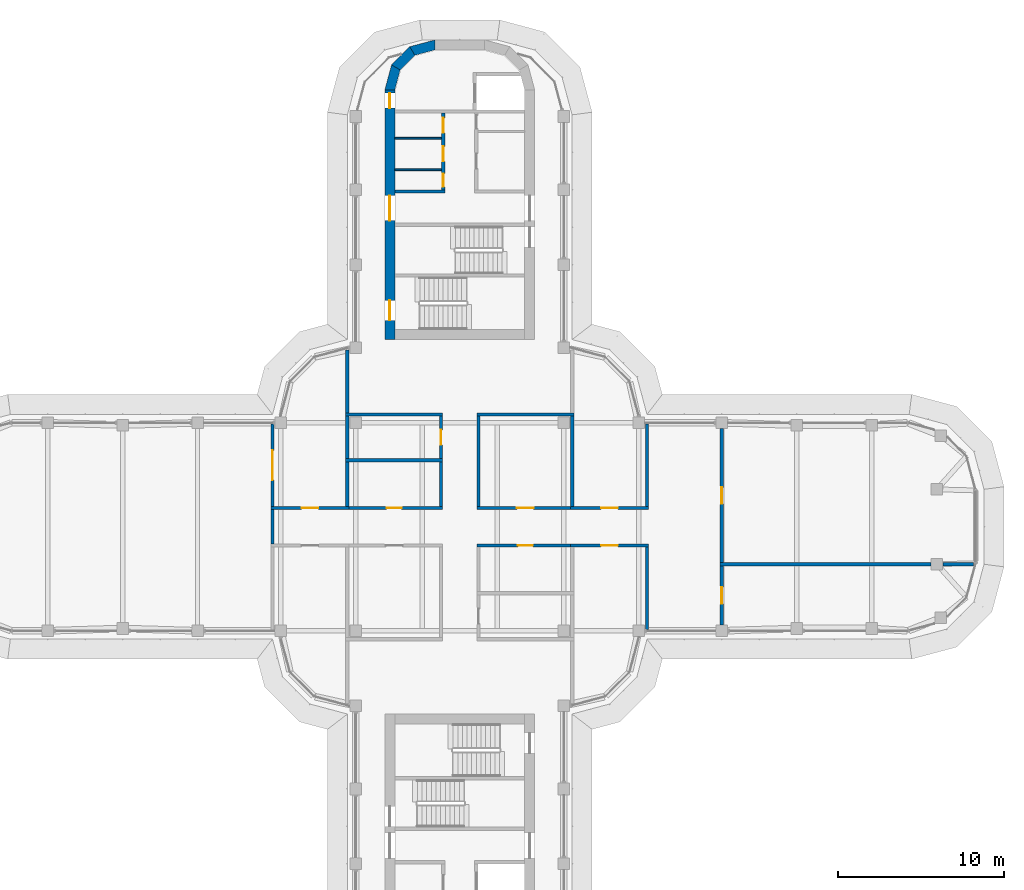
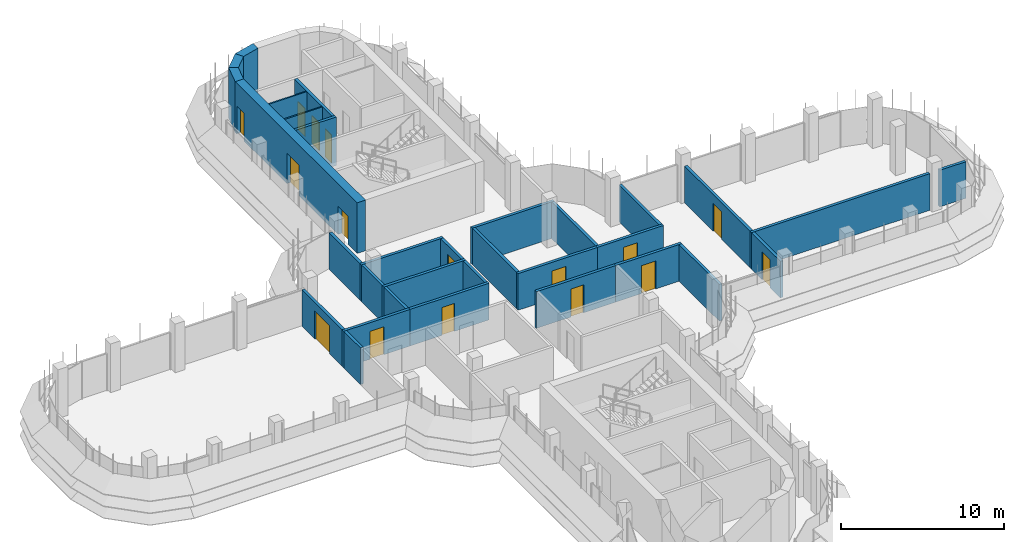
# One storey, part 14 of 19: 32 walls, 16 doors, 16 openings.
"""IFC4 building model written with IfcOpenShell, lengths in metres."""

from ifc_helpers import new_model, si_unit, direction, frame, frame_2d, origin, place, context, subcontext, project, spatial, polyline, rectangle, outline, extrude, material, layer, layer_set, type_object, element, fill, save


model = new_model("IFC4")

# Units and contexts
model_context = context("Model", 3, precision=1e-05, world=origin(), true_north=direction((0.0, 1.0)))
body_context = subcontext(model_context, "Body", "Model", "MODEL_VIEW")
ifc_project = project(units=[si_unit("LENGTHUNIT", "METRE"), si_unit("AREAUNIT", "SQUARE_METRE"), si_unit("VOLUMEUNIT", "CUBIC_METRE"), si_unit("PLANEANGLEUNIT", "RADIAN"), si_unit("MASSUNIT", "GRAM", prefix="KILO")], contexts=[model_context])

# Site, building, storey
site_placement = place(None, origin())
site = spatial("IfcSite", under=ifc_project, at=site_placement, CompositionType="ELEMENT")
building_placement = place(site_placement, origin())
building = spatial("IfcBuilding", under=site, at=building_placement, Name="Zarbagh Exchange Tower", CompositionType="ELEMENT")
storey_placement = place(building_placement, frame((0.0, 0.0, 222.0)))
storey = spatial("IfcBuildingStorey", under=building, at=storey_placement, Name="L54", CompositionType="ELEMENT", Elevation=222.0)

# Walls
ifc_material_1 = material(Name="Dense blockwork", Category="masonry")
ifc_layer_1 = layer(ifc_material_1, 0.10009765625)
ifc_layer_set_1 = layer_set([ifc_layer_1], Name="Core partition 100 mm blockwork")
wall_type_1 = type_object("IfcWallType", Name="Core partition 100 mm blockwork", PredefinedType="PARTITIONING", material=ifc_layer_set_1)
for number, where, z_axis, x_axis, name in (
    (1, (-3.89990234375, 23.35009765625, 0.0), (0.0, 0.0, 1.0), (1.0, 0.0, 0.0), "North core partition wall CUT-W-500"),
    (2, (-3.89990234375, 21.449951171875, 0.0), (0.0, 0.0, 1.0), (1.0, 0.0, 0.0), "North core partition wall CUT-W-690"),
):
    element("IfcWall", number, at=place(storey_placement, frame(where, z_axis=z_axis, x_axis=x_axis)), inside=storey, type_object=wall_type_1, Name=name, PredefinedType="PARTITIONING", context=body_context, shape_type="SweptSolid", body=[
        extrude(rectangle(XDim=2.7998046875, YDim=0.10009765625, at=frame_2d((1.39990234375, 0.0))), origin(), (0.0, 0.0, 1.0), 3.64990234375),
    ])

# Wall, opening, door
ifc_material_2 = material(Name="Fire-rated plasterboard partition")
ifc_layer_2 = layer(ifc_material_2, 0.199951171875)
ifc_layer_set_2 = layer_set([ifc_layer_2], Name="RATED PARTITION 200")
wall_type_2 = type_object("IfcWallType", Name="RATED PARTITION 200", PredefinedType="PARTITIONING", material=ifc_layer_set_2)
wall_1_placement = place(storey_placement, frame((1.02490234375, 1.125, 0.0), z_axis=(0.0, 0.0, 1.0), x_axis=(1.0, 0.0, 0.0)))
wall_1 = element("IfcWall", 3, at=wall_1_placement, inside=storey, type_object=wall_type_2, Name="Partition W-2401", PredefinedType="PARTITIONING", context=body_context, shape_type="SweptSolid", body=[
    extrude(rectangle(XDim=5.8251953125, YDim=0.199951171875, at=frame_2d((2.91259765625, 0.0))), origin(), (0.0, 0.0, 1.0), 2.75),
])
opening_1_placement = place(wall_1_placement, frame((2.41259765625, 0.0, 0.0)))
opening_1 = element("IfcOpeningElement", 4, at=opening_1_placement, cuts=wall_1, Name="Opening D-2403", PredefinedType="OPENING", context=body_context, shape_type="SweptSolid", body=[
    extrude(rectangle(XDim=1.0, YDim=2.10009765625, at=frame_2d((0.5, 1.050048828125))), frame((0.0, 0.10986328125, 0.0), z_axis=(0.0, -1.0, 0.0), x_axis=(1.0, 0.0, 0.0)), (0.0, 0.0, 1.0), 0.219970703125),
])
ifc_material_3 = material(Name="Steel door set", Category="steel")
door_type_1 = type_object("IfcDoorType", Name="FIRE DOOR 1000 X 2100 FD30S", OperationType="NOTDEFINED", PredefinedType="DOOR", material=ifc_material_3)
door_1_placement = place(opening_1_placement, origin())
door_1 = element("IfcDoor", 5, at=door_1_placement, inside=storey, type_object=door_type_1, Name="Door D-2403", OperationType="SINGLE_SWING_RIGHT", OverallHeight=2.10009765625, OverallWidth=1.0, PredefinedType="DOOR", context=body_context, shape_type="SweptSolid", body=[
    extrude(rectangle(XDim=1.0, YDim=2.10009765625, at=frame_2d((0.5, 1.050048828125))), frame((0.0, 0.02490234375, 0.0), z_axis=(0.0, -1.0, 0.0), x_axis=(1.0, 0.0, 0.0)), (0.0, 0.0, 1.0), 0.050048828125),
])
fill(opening_1, door_1)

wall_2_placement = place(storey_placement, frame((6.64990234375, 1.125, 0.0), z_axis=(0.0, 0.0, 1.0), x_axis=(1.0, 0.0, 0.0)))
wall_2 = element("IfcWall", 6, at=wall_2_placement, inside=storey, type_object=wall_type_2, Name="Partition W-2402", PredefinedType="PARTITIONING", context=body_context, shape_type="SweptSolid", body=[
    extrude(rectangle(XDim=4.7001953125, YDim=0.199951171875, at=frame_2d((2.35009765625, 0.0))), origin(), (0.0, 0.0, 1.0), 2.75),
])
opening_2_placement = place(wall_2_placement, frame((1.85009765625, 0.0, 0.0)))
opening_2 = element("IfcOpeningElement", 7, at=opening_2_placement, cuts=wall_2, Name="Opening D-2404", PredefinedType="OPENING", context=body_context, shape_type="SweptSolid", body=[
    extrude(rectangle(XDim=1.0, YDim=2.10009765625, at=frame_2d((0.5, 1.050048828125))), frame((0.0, 0.10986328125, 0.0), z_axis=(0.0, -1.0, 0.0), x_axis=(1.0, 0.0, 0.0)), (0.0, 0.0, 1.0), 0.219970703125),
])
door_2_placement = place(opening_2_placement, origin())
door_2 = element("IfcDoor", 8, at=door_2_placement, inside=storey, type_object=door_type_1, Name="Door D-2404", OperationType="SINGLE_SWING_RIGHT", OverallHeight=2.10009765625, OverallWidth=1.0, PredefinedType="DOOR", context=body_context, shape_type="SweptSolid", body=[
    extrude(rectangle(XDim=1.0, YDim=2.10009765625, at=frame_2d((0.5, 1.050048828125))), frame((0.0, 0.02490234375, 0.0), z_axis=(0.0, -1.0, 0.0), x_axis=(1.0, 0.0, 0.0)), (0.0, 0.0, 1.0), 0.050048828125),
])
fill(opening_2, door_2)

wall_3_placement = place(storey_placement, frame((-6.85009765625, 1.125, 0.0), z_axis=(0.0, 0.0, 1.0), x_axis=(1.0, 0.0, 0.0)))
wall_3 = element("IfcWall", 9, at=wall_3_placement, inside=storey, type_object=wall_type_2, Name="Partition W-2403", PredefinedType="PARTITIONING", context=body_context, shape_type="SweptSolid", body=[
    extrude(rectangle(XDim=5.8251953125, YDim=0.199951171875, at=frame_2d((2.91259765625, 0.0))), origin(), (0.0, 0.0, 1.0), 2.75),
])
opening_3_placement = place(wall_3_placement, frame((2.46240234375, 0.0, 0.0)))
opening_3 = element("IfcOpeningElement", 10, at=opening_3_placement, cuts=wall_3, Name="Opening D-2405", PredefinedType="OPENING", context=body_context, shape_type="SweptSolid", body=[
    extrude(rectangle(XDim=0.89990234375, YDim=2.10009765625, at=frame_2d((0.449951171875, 1.050048828125))), frame((0.0, 0.10986328125, 0.0), z_axis=(0.0, -1.0, 0.0), x_axis=(1.0, 0.0, 0.0)), (0.0, 0.0, 1.0), 0.219970703125),
])
ifc_material_4 = material(Name="Timber door leaf", Category="wood")
door_type_2 = type_object("IfcDoorType", Name="DOOR 900 X 2100", OperationType="NOTDEFINED", PredefinedType="DOOR", material=ifc_material_4)
door_3_placement = place(opening_3_placement, origin())
door_3 = element("IfcDoor", 11, at=door_3_placement, inside=storey, type_object=door_type_2, Name="Door D-2405", OperationType="SINGLE_SWING_RIGHT", OverallHeight=2.10009765625, OverallWidth=0.89990234375, PredefinedType="DOOR", context=body_context, shape_type="SweptSolid", body=[
    extrude(rectangle(XDim=0.89990234375, YDim=2.10009765625, at=frame_2d((0.449951171875, 1.050048828125))), frame((0.0, 0.02490234375, 0.0), z_axis=(0.0, -1.0, 0.0), x_axis=(1.0, 0.0, 0.0)), (0.0, 0.0, 1.0), 0.050048828125),
])
fill(opening_3, door_3)

wall_4_placement = place(storey_placement, frame((-11.35009765625, 1.125, 0.0), z_axis=(0.0, 0.0, 1.0), x_axis=(1.0, 0.0, 0.0)))
wall_4 = element("IfcWall", 12, at=wall_4_placement, inside=storey, type_object=wall_type_2, Name="Partition W-2404", PredefinedType="PARTITIONING", context=body_context, shape_type="SweptSolid", body=[
    extrude(rectangle(XDim=4.7001953125, YDim=0.199951171875, at=frame_2d((2.35009765625, 0.0))), origin(), (0.0, 0.0, 1.0), 2.75),
])
opening_4_placement = place(wall_4_placement, frame((1.85009765625, 0.0, 0.0)))
opening_4 = element("IfcOpeningElement", 13, at=opening_4_placement, cuts=wall_4, Name="Opening D-2407", PredefinedType="OPENING", context=body_context, shape_type="SweptSolid", body=[
    extrude(rectangle(XDim=1.0, YDim=2.10009765625, at=frame_2d((0.5, 1.050048828125))), frame((0.0, 0.10986328125, 0.0), z_axis=(0.0, -1.0, 0.0), x_axis=(1.0, 0.0, 0.0)), (0.0, 0.0, 1.0), 0.219970703125),
])
door_4_placement = place(opening_4_placement, origin())
door_4 = element("IfcDoor", 14, at=door_4_placement, inside=storey, type_object=door_type_1, Name="Door D-2407", OperationType="SINGLE_SWING_RIGHT", OverallHeight=2.10009765625, OverallWidth=1.0, PredefinedType="DOOR", context=body_context, shape_type="SweptSolid", body=[
    extrude(rectangle(XDim=1.0, YDim=2.10009765625, at=frame_2d((0.5, 1.050048828125))), frame((0.0, 0.02490234375, 0.0), z_axis=(0.0, -1.0, 0.0), x_axis=(1.0, 0.0, 0.0)), (0.0, 0.0, 1.0), 0.050048828125),
])
fill(opening_4, door_4)

wall_5_placement = place(storey_placement, frame((6.85009765625, -1.125, 0.0), z_axis=(0.0, 0.0, 1.0), x_axis=(-1.0, 0.0, 0.0)))
wall_5 = element("IfcWall", 15, at=wall_5_placement, inside=storey, type_object=wall_type_2, Name="Partition W-2405", PredefinedType="PARTITIONING", context=body_context, shape_type="SweptSolid", body=[
    extrude(rectangle(XDim=5.8251953125, YDim=0.199951171875, at=frame_2d((2.91259765625, 0.0))), origin(), (0.0, 0.0, 1.0), 2.75),
])
opening_5_placement = place(wall_5_placement, frame((2.46240234375, 0.0, 0.0)))
opening_5 = element("IfcOpeningElement", 16, at=opening_5_placement, cuts=wall_5, Name="Opening D-2408", PredefinedType="OPENING", context=body_context, shape_type="SweptSolid", body=[
    extrude(rectangle(XDim=0.89990234375, YDim=2.10009765625, at=frame_2d((0.449951171875, 1.050048828125))), frame((0.0, 0.10986328125, 0.0), z_axis=(0.0, -1.0, 0.0), x_axis=(1.0, 0.0, 0.0)), (0.0, 0.0, 1.0), 0.219970703125),
])
door_5_placement = place(opening_5_placement, origin())
door_5 = element("IfcDoor", 17, at=door_5_placement, inside=storey, type_object=door_type_2, Name="Door D-2408", OperationType="SINGLE_SWING_RIGHT", OverallHeight=2.10009765625, OverallWidth=0.89990234375, PredefinedType="DOOR", context=body_context, shape_type="SweptSolid", body=[
    extrude(rectangle(XDim=0.89990234375, YDim=2.10009765625, at=frame_2d((0.449951171875, 1.050048828125))), frame((0.0, 0.02490234375, 0.0), z_axis=(0.0, -1.0, 0.0), x_axis=(1.0, 0.0, 0.0)), (0.0, 0.0, 1.0), 0.050048828125),
])
fill(opening_5, door_5)

wall_6_placement = place(storey_placement, frame((11.35009765625, -1.125, 0.0), z_axis=(0.0, 0.0, 1.0), x_axis=(-1.0, 0.0, 0.0)))
wall_6 = element("IfcWall", 18, at=wall_6_placement, inside=storey, type_object=wall_type_2, Name="Partition W-2406", PredefinedType="PARTITIONING", context=body_context, shape_type="SweptSolid", body=[
    extrude(rectangle(XDim=4.7001953125, YDim=0.199951171875, at=frame_2d((2.35009765625, 0.0))), origin(), (0.0, 0.0, 1.0), 2.75),
])
opening_6_placement = place(wall_6_placement, frame((1.85009765625, 0.0, 0.0)))
opening_6 = element("IfcOpeningElement", 19, at=opening_6_placement, cuts=wall_6, Name="Opening D-2410", PredefinedType="OPENING", context=body_context, shape_type="SweptSolid", body=[
    extrude(rectangle(XDim=1.0, YDim=2.10009765625, at=frame_2d((0.5, 1.050048828125))), frame((0.0, 0.10986328125, 0.0), z_axis=(0.0, -1.0, 0.0), x_axis=(1.0, 0.0, 0.0)), (0.0, 0.0, 1.0), 0.219970703125),
])
door_6_placement = place(opening_6_placement, origin())
door_6 = element("IfcDoor", 20, at=door_6_placement, inside=storey, type_object=door_type_1, Name="Door D-2410", OperationType="SINGLE_SWING_RIGHT", OverallHeight=2.10009765625, OverallWidth=1.0, PredefinedType="DOOR", context=body_context, shape_type="SweptSolid", body=[
    extrude(rectangle(XDim=1.0, YDim=2.10009765625, at=frame_2d((0.5, 1.050048828125))), frame((0.0, 0.02490234375, 0.0), z_axis=(0.0, -1.0, 0.0), x_axis=(1.0, 0.0, 0.0)), (0.0, 0.0, 1.0), 0.050048828125),
])
fill(opening_6, door_6)

# Walls
wall_7_placement = place(storey_placement, frame((-11.25, -1.02490234375, 0.0), z_axis=(0.0, 0.0, 1.0), x_axis=(0.0, 1.0, 0.0)))
element("IfcWall", 21, at=wall_7_placement, inside=storey, type_object=wall_type_2, Name="Partition W-2409", PredefinedType="PARTITIONING", context=body_context, shape_type="SweptSolid", body=[
    extrude(rectangle(XDim=2.0498046875, YDim=0.199951171875, at=frame_2d((1.02490234375, 0.0))), origin(), (0.0, 0.0, 1.0), 2.75),
])
wall_8_placement = place(storey_placement, frame((1.125, 1.22509765625, 0.0), z_axis=(0.0, 0.0, 1.0), x_axis=(0.0, 1.0, 0.0)))
element("IfcWall", 22, at=wall_8_placement, inside=storey, type_object=wall_type_2, Name="Partition W-2410", PredefinedType="PARTITIONING", context=body_context, shape_type="SweptSolid", body=[
    extrude(rectangle(XDim=5.4248046875, YDim=0.199951171875, at=frame_2d((2.71240234375, 0.0))), origin(), (0.0, 0.0, 1.0), 2.75),
])
wall_9_placement = place(storey_placement, frame((-1.125, 1.22509765625, 0.0), z_axis=(0.0, 0.0, 1.0), x_axis=(0.0, 1.0, 0.0)))
element("IfcWall", 23, at=wall_9_placement, inside=storey, type_object=wall_type_2, Name="Partition W-2411", PredefinedType="PARTITIONING", context=body_context, shape_type="SweptSolid", body=[
    extrude(rectangle(XDim=2.6748046875, YDim=0.199951171875, at=frame_2d((1.33740234375, 0.0))), origin(), (0.0, 0.0, 1.0), 2.75),
])

# Wall, opening, door
wall_10_placement = place(storey_placement, frame((-1.125, 4.10009765625, 0.0), z_axis=(0.0, 0.0, 1.0), x_axis=(0.0, 1.0, 0.0)))
wall_10 = element("IfcWall", 24, at=wall_10_placement, inside=storey, type_object=wall_type_2, Name="Partition W-2412", PredefinedType="PARTITIONING", context=body_context, shape_type="SweptSolid", body=[
    extrude(rectangle(XDim=2.5498046875, YDim=0.199951171875, at=frame_2d((1.27490234375, 0.0))), origin(), (0.0, 0.0, 1.0), 2.75),
])
opening_7_placement = place(wall_10_placement, frame((0.824951171875, 0.0, 0.0)))
opening_7 = element("IfcOpeningElement", 25, at=opening_7_placement, cuts=wall_10, Name="Opening D-2406", PredefinedType="OPENING", context=body_context, shape_type="SweptSolid", body=[
    extrude(rectangle(XDim=0.89990234375, YDim=2.10009765625, at=frame_2d((0.449951171875, 1.050048828125))), frame((0.0, 0.10986328125, 0.0), z_axis=(0.0, -1.0, 0.0), x_axis=(1.0, 0.0, 0.0)), (0.0, 0.0, 1.0), 0.219970703125),
])
door_7_placement = place(opening_7_placement, origin())
door_7 = element("IfcDoor", 26, at=door_7_placement, inside=storey, type_object=door_type_2, Name="Door D-2406", OperationType="SINGLE_SWING_RIGHT", OverallHeight=2.10009765625, OverallWidth=0.89990234375, PredefinedType="DOOR", context=body_context, shape_type="SweptSolid", body=[
    extrude(rectangle(XDim=0.89990234375, YDim=2.10009765625, at=frame_2d((0.449951171875, 1.050048828125))), frame((0.0, 0.02490234375, 0.0), z_axis=(0.0, -1.0, 0.0), x_axis=(1.0, 0.0, 0.0)), (0.0, 0.0, 1.0), 0.050048828125),
])
fill(opening_7, door_7)

# Walls
for number, where, z_axis, x_axis, name in (
    (27, (1.02490234375, 6.75, 0.0), (0.0, 0.0, 1.0), (1.0, 0.0, 0.0), "Partition W-2416"),
    (28, (-6.85009765625, 6.75, 0.0), (0.0, 0.0, 1.0), (1.0, 0.0, 0.0), "Partition W-2418"),
):
    element("IfcWall", number, at=place(storey_placement, frame(where, z_axis=z_axis, x_axis=x_axis)), inside=storey, type_object=wall_type_2, Name=name, PredefinedType="PARTITIONING", context=body_context, shape_type="SweptSolid", body=[
        extrude(rectangle(XDim=5.8251953125, YDim=0.199951171875, at=frame_2d((2.91259765625, 0.0))), origin(), (0.0, 0.0, 1.0), 2.75),
    ])
wall_11_placement = place(storey_placement, frame((-6.75, 6.85009765625, 0.0), z_axis=(0.0, 0.0, 1.0), x_axis=(0.0, 1.0, 0.0)))
element("IfcWall", 29, at=wall_11_placement, inside=storey, type_object=wall_type_2, Name="Partition W-2419", PredefinedType="PARTITIONING", context=body_context, shape_type="SweptSolid", body=[
    extrude(rectangle(XDim=3.77978515625, YDim=0.199951171875, at=frame_2d((1.889892578125, 0.0))), origin(), (0.0, 0.0, 1.0), 2.75),
])
wall_12_placement = place(storey_placement, frame((6.75, 1.22509765625, 0.0), z_axis=(0.0, 0.0, 1.0), x_axis=(0.0, 1.0, 0.0)))
element("IfcWall", 30, at=wall_12_placement, inside=storey, type_object=wall_type_2, Name="Partition W-2424", PredefinedType="PARTITIONING", context=body_context, shape_type="SweptSolid", body=[
    extrude(rectangle(XDim=5.4248046875, YDim=0.199951171875, at=frame_2d((2.71240234375, 0.0))), origin(), (0.0, 0.0, 1.0), 2.75),
])
wall_13_placement = place(storey_placement, frame((11.25, 1.22509765625, 0.0), z_axis=(0.0, 0.0, 1.0), x_axis=(0.0, 1.0, 0.0)))
element("IfcWall", 31, at=wall_13_placement, inside=storey, type_object=wall_type_2, Name="Partition W-2425", PredefinedType="PARTITIONING", context=body_context, shape_type="SweptSolid", body=[
    extrude(rectangle(XDim=4.94482421875, YDim=0.199951171875, at=frame_2d((2.472412109375, 0.0))), origin(), (0.0, 0.0, 1.0), 2.75),
])
wall_14_placement = place(storey_placement, frame((-6.85009765625, 4.0, 0.0), z_axis=(0.0, 0.0, 1.0), x_axis=(1.0, 0.0, 0.0)))
element("IfcWall", 32, at=wall_14_placement, inside=storey, type_object=wall_type_2, Name="Partition W-2426", PredefinedType="PARTITIONING", context=body_context, shape_type="SweptSolid", body=[
    extrude(rectangle(XDim=5.8251953125, YDim=0.199951171875, at=frame_2d((2.91259765625, 0.0))), origin(), (0.0, 0.0, 1.0), 2.75),
])
wall_15_placement = place(storey_placement, frame((-6.75, 1.22509765625, 0.0), z_axis=(0.0, 0.0, 1.0), x_axis=(0.0, 1.0, 0.0)))
element("IfcWall", 33, at=wall_15_placement, inside=storey, type_object=wall_type_2, Name="Partition W-2427", PredefinedType="PARTITIONING", context=body_context, shape_type="SweptSolid", body=[
    extrude(rectangle(XDim=2.6748046875, YDim=0.199951171875, at=frame_2d((1.33740234375, 0.0))), origin(), (0.0, 0.0, 1.0), 2.75),
])
wall_16_placement = place(storey_placement, frame((-6.75, 4.10009765625, 0.0), z_axis=(0.0, 0.0, 1.0), x_axis=(0.0, 1.0, 0.0)))
element("IfcWall", 34, at=wall_16_placement, inside=storey, type_object=wall_type_2, Name="Partition W-2428", PredefinedType="PARTITIONING", context=body_context, shape_type="SweptSolid", body=[
    extrude(rectangle(XDim=2.5498046875, YDim=0.199951171875, at=frame_2d((1.27490234375, 0.0))), origin(), (0.0, 0.0, 1.0), 2.75),
])

# Wall, opening, door
wall_17_placement = place(storey_placement, frame((-11.25, 1.22509765625, 0.0), z_axis=(0.0, 0.0, 1.0), x_axis=(0.0, 1.0, 0.0)))
wall_17 = element("IfcWall", 35, at=wall_17_placement, inside=storey, type_object=wall_type_2, Name="Partition W-2429", PredefinedType="PARTITIONING", context=body_context, shape_type="SweptSolid", body=[
    extrude(rectangle(XDim=4.94482421875, YDim=0.199951171875, at=frame_2d((2.472412109375, 0.0))), origin(), (0.0, 0.0, 1.0), 2.75),
])
opening_8_placement = place(wall_17_placement, frame((1.572509765625, 0.0, 0.0)))
opening_8 = element("IfcOpeningElement", 36, at=opening_8_placement, cuts=wall_17, Name="Opening D-2413", PredefinedType="OPENING", context=body_context, shape_type="SweptSolid", body=[
    extrude(rectangle(XDim=1.800048828125, YDim=2.10009765625, at=frame_2d((0.89990234375, 1.050048828125))), frame((0.0, 0.10986328125, 0.0), z_axis=(0.0, -1.0, 0.0), x_axis=(1.0, 0.0, 0.0)), (0.0, 0.0, 1.0), 0.219970703125),
])
door_type_3 = type_object("IfcDoorType", Name="FIRE DOUBLE DOOR 1800 X 2100 FD30S", OperationType="DOUBLE_DOOR_SINGLE_SWING", PredefinedType="DOOR", material=ifc_material_3)
door_8_placement = place(opening_8_placement, origin())
door_8 = element("IfcDoor", 37, at=door_8_placement, inside=storey, type_object=door_type_3, Name="Door D-2413", OperationType="DOUBLE_DOOR_SINGLE_SWING", OverallHeight=2.10009765625, OverallWidth=1.800048828125, PredefinedType="DOOR", context=body_context, shape_type="SweptSolid", body=[
    extrude(rectangle(XDim=1.800048828125, YDim=2.10009765625, at=frame_2d((0.89990234375, 1.050048828125))), frame((0.0, 0.02490234375, 0.0), z_axis=(0.0, -1.0, 0.0), x_axis=(1.0, 0.0, 0.0)), (0.0, 0.0, 1.0), 0.050048828125),
])
fill(opening_8, door_8)

# Wall
wall_18_placement = place(storey_placement, frame((11.25, -6.169921875, 0.0), z_axis=(0.0, 0.0, 1.0), x_axis=(0.0, 1.0, 0.0)))
element("IfcWall", 38, at=wall_18_placement, inside=storey, type_object=wall_type_2, Name="Partition W-2433", PredefinedType="PARTITIONING", context=body_context, shape_type="SweptSolid", body=[
    extrude(rectangle(XDim=4.94482421875, YDim=0.199951171875, at=frame_2d((2.472412109375, 0.0))), origin(), (0.0, 0.0, 1.0), 2.75),
])

# Wall, opening, door
wall_19_placement = place(storey_placement, frame((15.75, -2.35009765625, 0.0), z_axis=(0.0, 0.0, 1.0), x_axis=(0.0, -1.0, 0.0)))
wall_19 = element("IfcWall", 39, at=wall_19_placement, inside=storey, type_object=wall_type_2, Name="Partition W-2436", PredefinedType="PARTITIONING", context=body_context, shape_type="SweptSolid", body=[
    extrude(rectangle(XDim=3.5498046875, YDim=0.199951171875, at=frame_2d((1.77490234375, 0.0))), origin(), (0.0, 0.0, 1.0), 2.75),
])
opening_9_placement = place(wall_19_placement, frame((1.27490234375, 0.0, 0.0)))
opening_9 = element("IfcOpeningElement", 40, at=opening_9_placement, cuts=wall_19, Name="Opening D-2401", PredefinedType="OPENING", context=body_context, shape_type="SweptSolid", body=[
    extrude(rectangle(XDim=1.0, YDim=2.10009765625, at=frame_2d((0.5, 1.050048828125))), frame((0.0, 0.10986328125, 0.0), z_axis=(0.0, -1.0, 0.0), x_axis=(1.0, 0.0, 0.0)), (0.0, 0.0, 1.0), 0.219970703125),
])
door_9_placement = place(opening_9_placement, origin())
door_9 = element("IfcDoor", 41, at=door_9_placement, inside=storey, type_object=door_type_1, Name="Door D-2401", OperationType="SINGLE_SWING_LEFT", OverallHeight=2.10009765625, OverallWidth=1.0, PredefinedType="DOOR", context=body_context, shape_type="SweptSolid", body=[
    extrude(rectangle(XDim=1.0, YDim=2.10009765625, at=frame_2d((0.5, 1.050048828125))), frame((0.0, 0.02490234375, 0.0), z_axis=(0.0, -1.0, 0.0), x_axis=(1.0, 0.0, 0.0)), (0.0, 0.0, 1.0), 0.050048828125),
])
fill(opening_9, door_9)

wall_20_placement = place(storey_placement, frame((15.75, 5.89990234375, 0.0), z_axis=(0.0, 0.0, 1.0), x_axis=(0.0, -1.0, 0.0)))
wall_20 = element("IfcWall", 42, at=wall_20_placement, inside=storey, type_object=wall_type_2, Name="Partition W-2437", PredefinedType="PARTITIONING", context=body_context, shape_type="SweptSolid", body=[
    extrude(rectangle(XDim=8.0498046875, YDim=0.199951171875, at=frame_2d((4.02490234375, 0.0))), origin(), (0.0, 0.0, 1.0), 2.75),
])
opening_10_placement = place(wall_20_placement, frame((3.52490234375, 0.0, 0.0)))
opening_10 = element("IfcOpeningElement", 43, at=opening_10_placement, cuts=wall_20, Name="Opening D-2402", PredefinedType="OPENING", context=body_context, shape_type="SweptSolid", body=[
    extrude(rectangle(XDim=1.0, YDim=2.10009765625, at=frame_2d((0.5, 1.050048828125))), frame((0.0, 0.10986328125, 0.0), z_axis=(0.0, -1.0, 0.0), x_axis=(1.0, 0.0, 0.0)), (0.0, 0.0, 1.0), 0.219970703125),
])
door_10_placement = place(opening_10_placement, origin())
door_10 = element("IfcDoor", 44, at=door_10_placement, inside=storey, type_object=door_type_1, Name="Door D-2402", OperationType="SINGLE_SWING_RIGHT", OverallHeight=2.10009765625, OverallWidth=1.0, PredefinedType="DOOR", context=body_context, shape_type="SweptSolid", body=[
    extrude(rectangle(XDim=1.0, YDim=2.10009765625, at=frame_2d((0.5, 1.050048828125))), frame((0.0, 0.02490234375, 0.0), z_axis=(0.0, -1.0, 0.0), x_axis=(1.0, 0.0, 0.0)), (0.0, 0.0, 1.0), 0.050048828125),
])
fill(opening_10, door_10)

# Walls
wall_21_placement = place(storey_placement, frame((15.64990234375, -2.25, 0.0), z_axis=(0.0, 0.0, 1.0), x_axis=(1.0, 0.0, 0.0)))
element("IfcWall", 45, at=wall_21_placement, inside=storey, type_object=wall_type_2, Name="Partition W-2438", PredefinedType="PARTITIONING", context=body_context, shape_type="SweptSolid", body=[
    extrude(rectangle(XDim=12.670166015625, YDim=0.199951171875, at=frame_2d((6.3349609375, 0.0))), origin(), (0.0, 0.0, 1.0), 2.75),
])
wall_22_placement = place(storey_placement, frame((29.02001953125, -2.25, 0.0), z_axis=(0.0, 0.0, 1.0), x_axis=(1.0, 0.0, 0.0)))
element("IfcWall", 46, at=wall_22_placement, inside=storey, type_object=wall_type_2, Name="Partition W-2439", PredefinedType="PARTITIONING", context=body_context, shape_type="SweptSolid", body=[
    extrude(rectangle(XDim=1.85986328125, YDim=0.199951171875, at=frame_2d((0.929931640625, 0.0))), origin(), (0.0, 0.0, 1.0), 2.75),
])
ifc_material_5 = material(Name="Concrete C50/60", Category="concrete")
ifc_layer_3 = layer(ifc_material_5, 0.60009765625)
ifc_layer_set_3 = layer_set([ifc_layer_3], Name="RC core corner wall 600 C50/60")
wall_type_3 = type_object("IfcWallType", Name="RC core corner wall 600 C50/60", PredefinedType="SHEAR", material=ifc_layer_set_3)
wall_23_placement = place(storey_placement, origin())
element("IfcWall", 47, at=wall_23_placement, inside=storey, type_object=wall_type_3, Name="CW8 core N corner W", PredefinedType="SHEAR", context=body_context, shape_type="SweptSolid", body=[
    extrude(outline(polyline([(-4.5, 26.25), (-4.09814453125, 27.75), (-3.57861328125, 27.449951171875), (-3.89990234375, 26.25), (-4.5, 26.25)])), origin(), (0.0, 0.0, 1.0), 3.800048828125),
])
wall_24_placement = place(storey_placement, origin())
element("IfcWall", 48, at=wall_24_placement, inside=storey, type_object=wall_type_3, Name="CW8 core N corner W", PredefinedType="SHEAR", context=body_context, shape_type="SweptSolid", body=[
    extrude(outline(polyline([(-4.09814453125, 27.75), (-3.0, 28.84814453125), (-2.699951171875, 28.32861328125), (-3.57861328125, 27.449951171875), (-4.09814453125, 27.75)])), origin(), (0.0, 0.0, 1.0), 3.800048828125),
])
wall_25_placement = place(storey_placement, origin())
element("IfcWall", 49, at=wall_25_placement, inside=storey, type_object=wall_type_3, Name="CW8 core N corner W", PredefinedType="SHEAR", context=body_context, shape_type="SweptSolid", body=[
    extrude(outline(polyline([(-3.0, 28.84814453125), (-1.5, 29.25), (-1.5, 28.64990234375), (-2.699951171875, 28.32861328125), (-3.0, 28.84814453125)])), origin(), (0.0, 0.0, 1.0), 3.800048828125),
])

# Wall, openings, doors
ifc_layer_4 = layer(ifc_material_5, 0.60009765625)
ifc_layer_set_4 = layer_set([ifc_layer_4], Name="RC core wall 600 C50/60")
wall_type_4 = type_object("IfcWallType", Name="RC core wall 600 C50/60", PredefinedType="SHEAR", material=ifc_layer_set_4)
wall_26_placement = place(storey_placement, frame((-4.199951171875, 11.25, 0.0), z_axis=(0.0, 0.0, 1.0), x_axis=(0.0, 1.0, 0.0)))
wall_26 = element("IfcWall", 50, at=wall_26_placement, inside=storey, type_object=wall_type_4, Name="CW7 core N W", PredefinedType="SHEAR", context=body_context, shape_type="SweptSolid", body=[
    extrude(rectangle(XDim=15.0, YDim=0.60009765625, at=frame_2d((7.5, 0.0))), origin(), (0.0, 0.0, 1.0), 3.800048828125),
])
opening_11_placement = place(wall_26_placement, frame((7.14990234375, 0.0, 0.0)))
opening_11 = element("IfcOpeningElement", 51, at=opening_11_placement, cuts=wall_26, Name="Opening CD1-1500", PredefinedType="OPENING", context=body_context, shape_type="SweptSolid", body=[
    extrude(rectangle(XDim=1.5, YDim=2.300048828125, at=frame_2d((0.75, 1.14990234375))), frame((0.0, 0.31005859375, 0.0), z_axis=(0.0, -1.0, 0.0), x_axis=(1.0, 0.0, 0.0)), (0.0, 0.0, 1.0), 0.6201171875),
])
opening_12_placement = place(wall_26_placement, frame((13.89990234375, 0.0, 0.0)))
opening_12 = element("IfcOpeningElement", 52, at=opening_12_placement, cuts=wall_26, Name="Opening CD2-900", PredefinedType="OPENING", context=body_context, shape_type="SweptSolid", body=[
    extrude(rectangle(XDim=0.89990234375, YDim=2.10009765625, at=frame_2d((0.449951171875, 1.050048828125))), frame((0.0, 0.31005859375, 0.0), z_axis=(0.0, -1.0, 0.0), x_axis=(1.0, 0.0, 0.0)), (0.0, 0.0, 1.0), 0.6201171875),
])
opening_13_placement = place(wall_26_placement, frame((1.14990234375, 0.0, 0.0)))
opening_13 = element("IfcOpeningElement", 53, at=opening_13_placement, cuts=wall_26, Name="Opening SD1-1200", PredefinedType="OPENING", context=body_context, shape_type="SweptSolid", body=[
    extrude(rectangle(XDim=1.199951171875, YDim=2.10009765625, at=frame_2d((0.60009765625, 1.050048828125))), frame((0.0, 0.31005859375, 0.0), z_axis=(0.0, -1.0, 0.0), x_axis=(1.0, 0.0, 0.0)), (0.0, 0.0, 1.0), 0.6201171875),
])
ifc_material_6 = material(Name="Steel", Category="steel")
door_type_4 = type_object("IfcDoorType", Name="Exit stair door 1200 x 2100", OperationType="NOTDEFINED", PredefinedType="DOOR", material=ifc_material_6)
door_11_placement = place(opening_13_placement, origin())
door_11 = element("IfcDoor", 54, at=door_11_placement, inside=storey, type_object=door_type_4, Name="North core stair door ST2", OperationType="SINGLE_SWING_RIGHT", OverallHeight=2.10009765625, OverallWidth=1.199951171875, PredefinedType="DOOR", context=body_context, shape_type="SweptSolid", body=[
    extrude(rectangle(XDim=1.199951171875, YDim=2.10009765625, at=frame_2d((0.60009765625, 1.050048828125))), frame((0.0, 0.02490234375, 0.0), z_axis=(0.0, -1.0, 0.0), x_axis=(1.0, 0.0, 0.0)), (0.0, 0.0, 1.0), 0.050048828125),
])
fill(opening_13, door_11)
door_type_5 = type_object("IfcDoorType", Name="Firefighting lobby door 900 x 2100", OperationType="NOTDEFINED", PredefinedType="DOOR", material=ifc_material_6)
door_12_placement = place(opening_12_placement, origin())
door_12 = element("IfcDoor", 55, at=door_12_placement, inside=storey, type_object=door_type_5, Name="North core firefighting lobby door FF-W", OperationType="SINGLE_SWING_RIGHT", OverallHeight=2.10009765625, OverallWidth=0.89990234375, PredefinedType="DOOR", context=body_context, shape_type="SweptSolid", body=[
    extrude(rectangle(XDim=0.89990234375, YDim=2.10009765625, at=frame_2d((0.449951171875, 1.050048828125))), frame((0.0, 0.02490234375, 0.0), z_axis=(0.0, -1.0, 0.0), x_axis=(1.0, 0.0, 0.0)), (0.0, 0.0, 1.0), 0.050048828125),
])
fill(opening_12, door_12)
door_type_6 = type_object("IfcDoorType", Name="Lift lobby double door 1500 x 2300", OperationType="NOTDEFINED", PredefinedType="DOOR", material=ifc_material_6)
door_13_placement = place(opening_11_placement, origin())
door_13 = element("IfcDoor", 56, at=door_13_placement, inside=storey, type_object=door_type_6, Name="North core lift lobby door LOBBY-W", OperationType="DOUBLE_DOOR_SINGLE_SWING", OverallHeight=2.300048828125, OverallWidth=1.5, PredefinedType="DOOR", context=body_context, shape_type="SweptSolid", body=[
    extrude(rectangle(XDim=1.5, YDim=2.300048828125, at=frame_2d((0.75, 1.14990234375))), frame((0.0, 0.02490234375, 0.0), z_axis=(0.0, -1.0, 0.0), x_axis=(1.0, 0.0, 0.0)), (0.0, 0.0, 1.0), 0.050048828125),
])
fill(opening_11, door_13)

# Wall
ifc_layer_5 = layer(ifc_material_1, 0.199951171875)
ifc_layer_set_5 = layer_set([ifc_layer_5], Name="Shaft wall 200 mm blockwork")
wall_type_5 = type_object("IfcWallType", Name="Shaft wall 200 mm blockwork", PredefinedType="PARTITIONING", material=ifc_layer_set_5)
wall_27_placement = place(storey_placement, frame((-3.89990234375, 20.14990234375, 0.0), z_axis=(0.0, 0.0, 1.0), x_axis=(1.0, 0.0, 0.0)))
element("IfcWall", 57, at=wall_27_placement, inside=storey, type_object=wall_type_5, Name="North core shaft wall AB-W", PredefinedType="PARTITIONING", context=body_context, shape_type="SweptSolid", body=[
    extrude(rectangle(XDim=3.0, YDim=0.199951171875, at=frame_2d((1.5, 0.0))), origin(), (0.0, 0.0, 1.0), 3.64990234375),
])

# Wall, openings, doors
wall_28_placement = place(storey_placement, frame((-1.0, 24.85009765625, 0.0), z_axis=(0.0, 0.0, 1.0), x_axis=(0.0, -1.0, 0.0)))
wall_28 = element("IfcWall", 58, at=wall_28_placement, inside=storey, type_object=wall_type_5, Name="North core shaft wall LW-W", PredefinedType="PARTITIONING", context=body_context, shape_type="SweptSolid", body=[
    extrude(rectangle(XDim=4.60009765625, YDim=0.199951171875, at=frame_2d((2.300048828125, 0.0))), origin(), (0.0, 0.0, 1.0), 3.64990234375),
])
opening_14_placement = place(wall_28_placement, frame((0.27490234375, 0.0, 0.0)))
opening_14 = element("IfcOpeningElement", 59, at=opening_14_placement, cuts=wall_28, Name="Opening CD3-900", PredefinedType="OPENING", context=body_context, shape_type="SweptSolid", body=[
    extrude(rectangle(XDim=0.89990234375, YDim=2.10009765625, at=frame_2d((0.449951171875, 1.050048828125))), frame((0.0, 0.10986328125, 0.0), z_axis=(0.0, -1.0, 0.0), x_axis=(1.0, 0.0, 0.0)), (0.0, 0.0, 1.0), 0.219970703125),
])
opening_15_placement = place(wall_28_placement, frame((2.0, 0.0, 0.0)))
opening_15 = element("IfcOpeningElement", 60, at=opening_15_placement, cuts=wall_28, Name="Opening CD3-900", PredefinedType="OPENING", context=body_context, shape_type="SweptSolid", body=[
    extrude(rectangle(XDim=0.89990234375, YDim=2.10009765625, at=frame_2d((0.449951171875, 1.050048828125))), frame((0.0, 0.10986328125, 0.0), z_axis=(0.0, -1.0, 0.0), x_axis=(1.0, 0.0, 0.0)), (0.0, 0.0, 1.0), 0.219970703125),
])
opening_16_placement = place(wall_28_placement, frame((3.625, 0.0, 0.0)))
opening_16 = element("IfcOpeningElement", 61, at=opening_16_placement, cuts=wall_28, Name="Opening CD3-800", PredefinedType="OPENING", context=body_context, shape_type="SweptSolid", body=[
    extrude(rectangle(XDim=0.800048828125, YDim=2.10009765625, at=frame_2d((0.39990234375, 1.050048828125))), frame((0.0, 0.10986328125, 0.0), z_axis=(0.0, -1.0, 0.0), x_axis=(1.0, 0.0, 0.0)), (0.0, 0.0, 1.0), 0.219970703125),
])
door_type_7 = type_object("IfcDoorType", Name="Core room door 800 x 2100", OperationType="NOTDEFINED", PredefinedType="DOOR", material=ifc_material_6)
door_14_placement = place(opening_16_placement, origin())
door_14 = element("IfcDoor", 62, at=door_14_placement, inside=storey, type_object=door_type_7, Name="North core IT room door RD-W-2", OperationType="SINGLE_SWING_LEFT", OverallHeight=2.10009765625, OverallWidth=0.800048828125, PredefinedType="DOOR", context=body_context, shape_type="SweptSolid", body=[
    extrude(rectangle(XDim=0.800048828125, YDim=2.10009765625, at=frame_2d((0.39990234375, 1.050048828125))), frame((0.0, 0.02490234375, 0.0), z_axis=(0.0, -1.0, 0.0), x_axis=(1.0, 0.0, 0.0)), (0.0, 0.0, 1.0), 0.050048828125),
])
fill(opening_16, door_14)
door_type_8 = type_object("IfcDoorType", Name="Core room door 900 x 2100", OperationType="NOTDEFINED", PredefinedType="DOOR", material=ifc_material_6)
door_15_placement = place(opening_14_placement, origin())
door_15 = element("IfcDoor", 63, at=door_15_placement, inside=storey, type_object=door_type_8, Name="North core Cleaner's store door RD-W-0", OperationType="SINGLE_SWING_LEFT", OverallHeight=2.10009765625, OverallWidth=0.89990234375, PredefinedType="DOOR", context=body_context, shape_type="SweptSolid", body=[
    extrude(rectangle(XDim=0.89990234375, YDim=2.10009765625, at=frame_2d((0.449951171875, 1.050048828125))), frame((0.0, 0.02490234375, 0.0), z_axis=(0.0, -1.0, 0.0), x_axis=(1.0, 0.0, 0.0)), (0.0, 0.0, 1.0), 0.050048828125),
])
fill(opening_14, door_15)
door_16_placement = place(opening_15_placement, origin())
door_16 = element("IfcDoor", 64, at=door_16_placement, inside=storey, type_object=door_type_8, Name="North core Pantry door RD-W-1", OperationType="SINGLE_SWING_RIGHT", OverallHeight=2.10009765625, OverallWidth=0.89990234375, PredefinedType="DOOR", context=body_context, shape_type="SweptSolid", body=[
    extrude(rectangle(XDim=0.89990234375, YDim=2.10009765625, at=frame_2d((0.449951171875, 1.050048828125))), frame((0.0, 0.02490234375, 0.0), z_axis=(0.0, -1.0, 0.0), x_axis=(1.0, 0.0, 0.0)), (0.0, 0.0, 1.0), 0.050048828125),
])
fill(opening_15, door_16)

save(model, "model.ifc")
